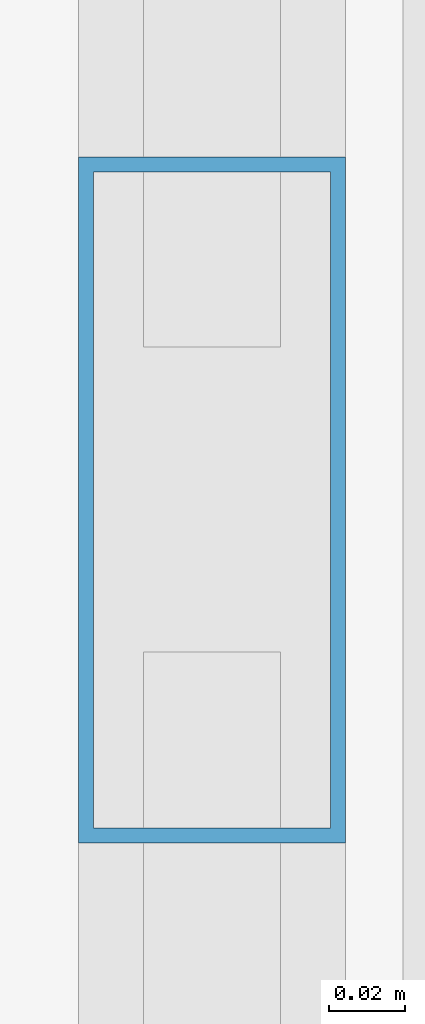
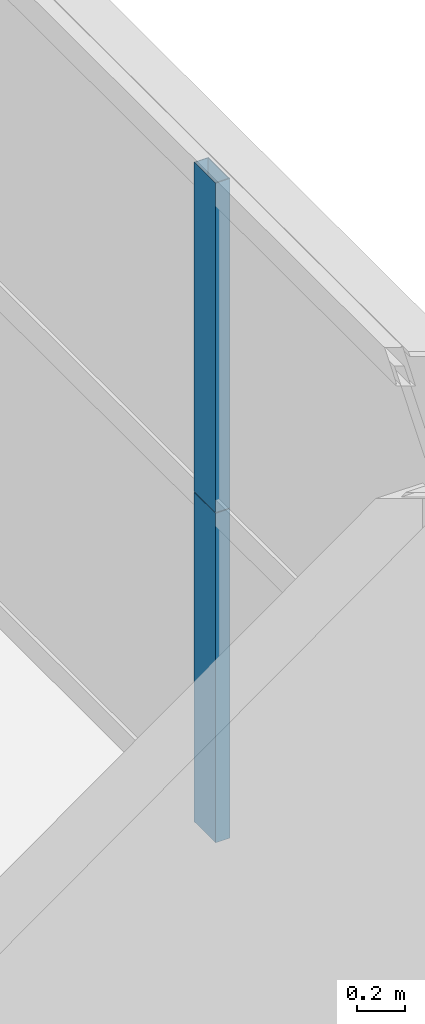
# One storey, part 29 of 39: 2 members, 1 element without a shape of its own.
"""IFC4 building model written with IfcOpenShell, lengths in metres."""

from ifc_helpers import new_model, si_unit, direction, frame, origin, origin_2d, place, context, subcontext, project, spatial, hollow_rectangle, extrude, source, transform, mapped, material, layer, layer_set, material_profile, profile_set, type_object, element, aggregate, save


model = new_model("IFC4")

# Units and contexts
model_context = context("Model", 3, precision=1e-05, world=origin(), true_north=direction((0.0, 1.0)))
body_context = subcontext(model_context, "Body", "Model", "MODEL_VIEW")
ifc_project = project(units=[si_unit("LENGTHUNIT", "METRE"), si_unit("AREAUNIT", "SQUARE_METRE"), si_unit("VOLUMEUNIT", "CUBIC_METRE"), si_unit("PLANEANGLEUNIT", "RADIAN"), si_unit("MASSUNIT", "GRAM", prefix="KILO"), si_unit("THERMODYNAMICTEMPERATUREUNIT", "KELVIN"), si_unit("POWERUNIT", "WATT")], contexts=[model_context])

# Site, building, storey
site_placement = place(None, origin())
site = spatial("IfcSite", under=ifc_project, at=site_placement, CompositionType="ELEMENT")
building_placement = place(site_placement, origin())
building = spatial("IfcBuilding", under=site, at=building_placement, Name="Yuzanri Waterfront Tower", CompositionType="ELEMENT")
storey_placement = place(building_placement, frame((0.0, 0.0, 141.60009765625)))
storey = spatial("IfcBuildingStorey", under=building, at=storey_placement, Name="L37", CompositionType="ELEMENT", Elevation=141.60009765625)

# Curtain wall, members
ifc_material_1 = material(Name="Anodized Architectural Bronze", Category="metal")
ifc_layer = layer(ifc_material_1, 0.159912109375)
ifc_layer_set = layer_set([ifc_layer], Name="Anodized Architectural Bronze")
curtain_wall_type = type_object("IfcCurtainWallType", Name="Anodized Bronze Hotel Upper-Tier Solar-Control Unitized Curtain Wall 7800", PredefinedType="NOTDEFINED", material=ifc_layer_set)
curtain_wall_placement = place(storey_placement, origin())
curtain_wall = element("IfcCurtainWall", 1, at=curtain_wall_placement, inside=storey, type_object=curtain_wall_type, Name="L37 Curtain Wall CW-L37-ER", PredefinedType="NOTDEFINED")
ifc_material_2 = material(Name="Anodized Architectural Bronze", Category="metal")
ifc_material_profile = material_profile(ifc_material_2, hollow_rectangle(XDim=0.070068359375, YDim=0.179931640625, WallThickness=0.00390625, at=origin_2d()), Name="CWM 70x180")
ifc_profile_set = profile_set([ifc_material_profile], Name="Anodized Architectural Bronze")
member_type = type_object("IfcMemberType", Name="Anodized Bronze Standard Curtain-Wall Mullion 70x180", PredefinedType="MULLION", material=ifc_profile_set)
shared_shape = source(origin(), body_context, "Body", "SweptSolid", [
    extrude(hollow_rectangle(XDim=0.070068359375, YDim=0.179931640625, WallThickness=0.00390625, at=origin_2d()), origin(), (0.0, 0.0, 1.0), 1.68798828125),
])
member_1_placement = place(storey_placement, frame((60.449951171875, 34.14990234375, 0.0), z_axis=(0.0, 0.0, 1.0), x_axis=(1.0, 0.0, 0.0)))
member_1 = element("IfcMember", 2, at=member_1_placement, type_object=member_type, Name="CW-L37-ER Lower Mullion 01", PredefinedType="MULLION", context=body_context, shape_type="MappedRepresentation", body=[
    mapped(shared_shape, transform((0.0, 0.0, 0.0), scale=1.0)),
])
member_2_placement = place(storey_placement, frame((60.449951171875, 34.14990234375, 1.69189453125), z_axis=(0.0, 0.0, 1.0), x_axis=(1.0, 0.0, 0.0)))
member_2 = element("IfcMember", 3, at=member_2_placement, type_object=member_type, Name="CW-L37-ER Upper Mullion 01", PredefinedType="MULLION", context=body_context, shape_type="MappedRepresentation", body=[
    mapped(shared_shape, transform((0.0, 0.0, 0.0), scale=1.0)),
])
aggregate(curtain_wall, [member_1, member_2])

save(model, "model.ifc")
